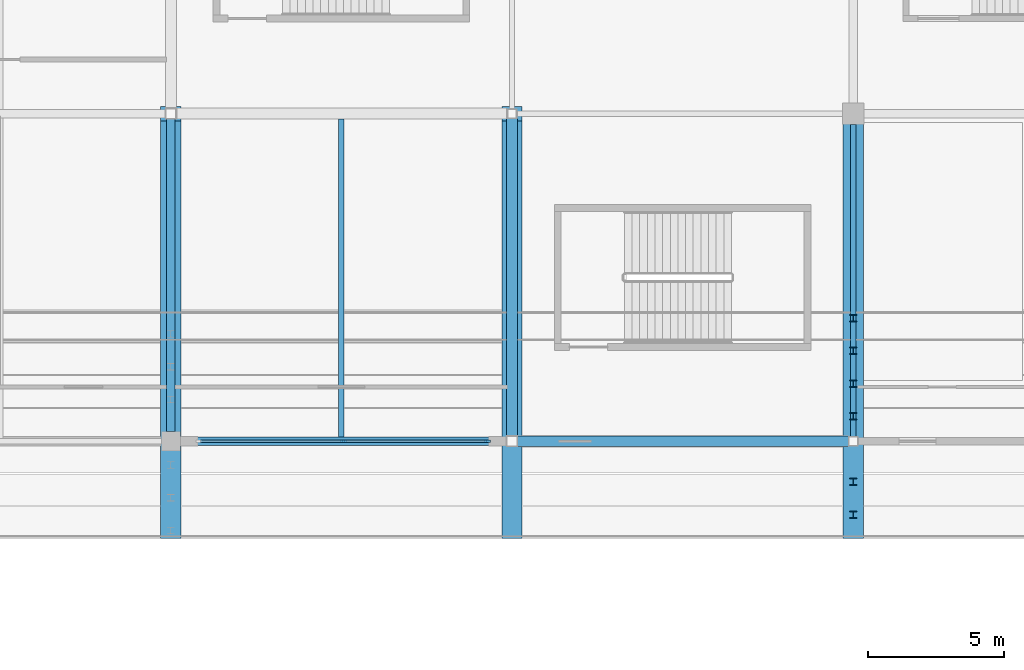
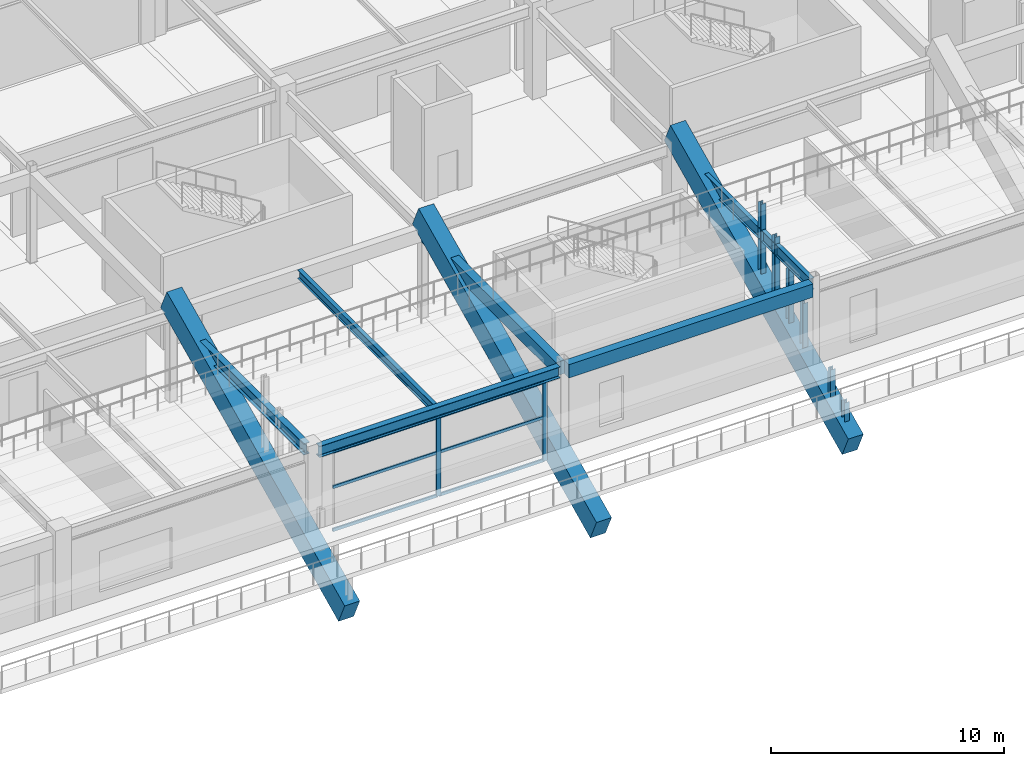
# One storey, part 43 of 128: 14 members, 9 beams, 1 element without a shape of its own.
"""IFC4 building model written with IfcOpenShell, lengths in metres."""

from ifc_helpers import new_model, si_unit, direction, frame, origin, origin_2d, place, context, subcontext, project, spatial, rectangle, i_section, extrude, material, layer, layer_set, material_profile, profile_set, type_object, element, aggregate, save


model = new_model("IFC4")

# Units and contexts
model_context = context("Model", 3, precision=1e-05, world=origin(), true_north=direction((0.0, 1.0)))
body_context = subcontext(model_context, "Body", "Model", "MODEL_VIEW")
ifc_project = project(units=[si_unit("LENGTHUNIT", "METRE"), si_unit("AREAUNIT", "SQUARE_METRE"), si_unit("VOLUMEUNIT", "CUBIC_METRE"), si_unit("PLANEANGLEUNIT", "RADIAN"), si_unit("MASSUNIT", "GRAM", prefix="KILO")], contexts=[model_context])

# Site, building, storey
site_placement = place(None, origin())
site = spatial("IfcSite", under=ifc_project, at=site_placement, CompositionType="ELEMENT")
building_placement = place(site_placement, origin())
building = spatial("IfcBuilding", under=site, at=building_placement, Name="Kazenohara Klinker Stadium", CompositionType="ELEMENT")
storey_placement = place(building_placement, frame((0.0, 0.0, 15.300048828125)))
storey = spatial("IfcBuildingStorey", under=building, at=storey_placement, Name="L03", CompositionType="ELEMENT", Elevation=15.300048828125)

# Beams
ifc_material_1 = material(Name="Steel S355", Category="steel")
ifc_material_profile_1 = material_profile(ifc_material_1, i_section(OverallWidth=0.199951171875, OverallDepth=0.449951171875, WebThickness=0.009033203125, FlangeThickness=0.013916015625, FilletRadius=0.012939453125, at=origin_2d()), Name="H-450x200x9x14")
ifc_profile_set_1 = profile_set([ifc_material_profile_1], Name="Steel S355")
beam_type_1 = type_object("IfcBeamType", Name="BM-JST02", PredefinedType="JOIST", material=ifc_profile_set_1)
beam_1_placement = place(storey_placement, frame((80.25, 132.14990234375, 4.534912109375), z_axis=(0.0, 1.0, 0.0), x_axis=(-1.0, 0.0, 0.0)))
element("IfcBeam", 1, at=beam_1_placement, inside=storey, type_object=beam_type_1, Name="Secondary floor joist SJ02 L03 7/M", PredefinedType="JOIST", context=body_context, shape_type="SweptSolid", body=[
    extrude(i_section(OverallWidth=0.199951171875, OverallDepth=0.449951171875, WebThickness=0.009033203125, FlangeThickness=0.013916015625, FilletRadius=0.012939453125, at=origin_2d()), origin(), (0.0, 0.0, 1.0), 11.650146484375),
])
ifc_material_2 = material(Name="Concrete C40/50", Category="concrete")
ifc_material_profile_2 = material_profile(ifc_material_2, rectangle(XDim=0.39990234375, YDim=0.699951171875, at=origin_2d()), Name="RC-BM-400x700")
ifc_profile_set_2 = profile_set([ifc_material_profile_2], Name="Concrete C40/50")
beam_type_2 = type_object("IfcBeamType", Name="BM-RC04", PredefinedType="BEAM", material=ifc_profile_set_2)
beam_2_placement = place(storey_placement, frame((86.699951171875, 132.0, 4.409912109375), z_axis=(1.0, 0.0, 0.0), x_axis=(0.0, 1.0, 0.0)))
element("IfcBeam", 2, at=beam_2_placement, inside=storey, type_object=beam_type_2, Name="Primary girder BG04 L03 8-9/M", PredefinedType="BEAM", context=body_context, shape_type="SweptSolid", body=[
    extrude(rectangle(XDim=0.39990234375, YDim=0.699951171875, at=origin_2d()), origin(), (0.0, 0.0, 1.0), 12.125),
])
beam_3_placement = place(storey_placement, frame((86.5, 132.199951171875, 4.409912109375), z_axis=(0.0, 1.0, 0.0), x_axis=(-1.0, 0.0, 0.0)))
element("IfcBeam", 3, at=beam_3_placement, inside=storey, type_object=beam_type_2, Name="Primary girder BG04 L03 8/M-N", PredefinedType="BEAM", context=body_context, shape_type="SweptSolid", body=[
    extrude(rectangle(XDim=0.39990234375, YDim=0.699951171875, at=origin_2d()), origin(), (0.0, 0.0, 1.0), 11.625),
])
ifc_material_profile_3 = material_profile(ifc_material_1, i_section(OverallWidth=0.199951171875, OverallDepth=0.60009765625, WebThickness=0.010986328125, FlangeThickness=0.01708984375, FilletRadius=0.012939453125, at=origin_2d()), Name="H-600x200x11x17")
ifc_profile_set_3 = profile_set([ifc_material_profile_3], Name="Steel S355")
beam_type_3 = type_object("IfcBeamType", Name="BM-ST04", PredefinedType="BEAM", material=ifc_profile_set_3)
beam_4_placement = place(storey_placement, frame((99.0, 132.175048828125, 4.4599609375), z_axis=(0.0, 1.0, 0.0), x_axis=(-1.0, 0.0, 0.0)))
element("IfcBeam", 4, at=beam_4_placement, inside=storey, type_object=beam_type_3, Name="Primary girder SB04 L03 9/M-N", PredefinedType="BEAM", context=body_context, shape_type="SweptSolid", body=[
    extrude(i_section(OverallWidth=0.199951171875, OverallDepth=0.60009765625, WebThickness=0.010986328125, FlangeThickness=0.01708984375, FilletRadius=0.012939453125, at=origin_2d()), origin(), (0.0, 0.0, 1.0), 11.425048828125),
])
ifc_material_profile_4 = material_profile(ifc_material_1, i_section(OverallWidth=0.300048828125, OverallDepth=0.587890625, WebThickness=0.011962890625, FlangeThickness=0.02001953125, FilletRadius=0.02197265625, at=origin_2d()), Name="H-588x300x12x20")
ifc_profile_set_4 = profile_set([ifc_material_profile_4], Name="Steel S355")
beam_type_4 = type_object("IfcBeamType", Name="BM-ST05", PredefinedType="BEAM", material=ifc_profile_set_4)
beam_5_placement = place(storey_placement, frame((74.35009765625, 132.0, 4.466064453125), z_axis=(1.0, 0.0, 0.0), x_axis=(0.0, 1.0, 0.0)))
element("IfcBeam", 5, at=beam_5_placement, inside=storey, type_object=beam_type_4, Name="Primary girder SB05 L03 7-8/M", PredefinedType="BEAM", context=body_context, shape_type="SweptSolid", body=[
    extrude(i_section(OverallWidth=0.300048828125, OverallDepth=0.587890625, WebThickness=0.011962890625, FlangeThickness=0.02001953125, FilletRadius=0.02197265625, at=origin_2d()), origin(), (0.0, 0.0, 1.0), 11.949951171875),
])
beam_6_placement = place(storey_placement, frame((74.0, 132.35009765625, 4.466064453125), z_axis=(0.0, 1.0, 0.0), x_axis=(-1.0, 0.0, 0.0)))
element("IfcBeam", 6, at=beam_6_placement, inside=storey, type_object=beam_type_4, Name="Primary girder SB05 L03 7/M-N", PredefinedType="BEAM", context=body_context, shape_type="SweptSolid", body=[
    extrude(i_section(OverallWidth=0.300048828125, OverallDepth=0.587890625, WebThickness=0.011962890625, FlangeThickness=0.02001953125, FilletRadius=0.02197265625, at=origin_2d()), origin(), (0.0, 0.0, 1.0), 11.449951171875),
])

# Curtain wall, members
ifc_material_3 = material(Name="Anodised aluminium and triple glazing", Category="aluminium")
ifc_layer = layer(ifc_material_3, 0.169921875)
ifc_layer_set = layer_set([ifc_layer], Name="Anodised aluminium and triple glazing")
curtain_wall_type = type_object("IfcCurtainWallType", Name="CW-SYS-04", PredefinedType="USERDEFINED", material=ifc_layer_set)
curtain_wall_placement = place(storey_placement, origin())
curtain_wall = element("IfcCurtainWall", 7, at=curtain_wall_placement, inside=storey, type_object=curtain_wall_type, Name="Unitised facade curtain wall CW04 L03 X6-11", ObjectType="UNITISED CURTAIN WALL", PredefinedType="USERDEFINED")
ifc_material_4 = material(Name="Anodised aluminium 6063-T6", Category="aluminium")
ifc_material_profile_5 = material_profile(ifc_material_4, rectangle(XDim=0.074951171875, YDim=0.219970703125, at=origin_2d()), Name="ALU-MUL-75x220")
ifc_profile_set_5 = profile_set([ifc_material_profile_5], Name="Anodised aluminium 6063-T6")
member_type_1 = type_object("IfcMemberType", Name="CW-MUL-220", PredefinedType="MULLION", material=ifc_profile_set_5)
member_1_placement = place(storey_placement, frame((80.324951171875, 132.0, 0.0), z_axis=(0.0, 0.0, 1.0), x_axis=(0.0, 1.0, 0.0)))
member_1 = element("IfcMember", 8, at=member_1_placement, type_object=member_type_1, Name="CW04 mullion 2", PredefinedType="MULLION", context=body_context, shape_type="SweptSolid", body=[
    extrude(rectangle(XDim=0.074951171875, YDim=0.219970703125, at=origin_2d()), origin(), (0.0, 0.0, 1.0), 4.171875),
])
member_2_placement = place(storey_placement, frame((85.6083984375, 132.0, 0.0), z_axis=(0.0, 0.0, 1.0), x_axis=(0.0, 1.0, 0.0)))
member_2 = element("IfcMember", 9, at=member_2_placement, type_object=member_type_1, Name="CW04 mullion 3", PredefinedType="MULLION", context=body_context, shape_type="SweptSolid", body=[
    extrude(rectangle(XDim=0.074951171875, YDim=0.219970703125, at=origin_2d()), origin(), (0.0, 0.0, 1.0), 4.171875),
])
ifc_material_profile_6 = material_profile(ifc_material_4, rectangle(XDim=0.074951171875, YDim=0.159912109375, at=origin_2d()), Name="ALU-TRN-75x160")
ifc_profile_set_6 = profile_set([ifc_material_profile_6], Name="Anodised aluminium 6063-T6")
member_type_2 = type_object("IfcMemberType", Name="CW-TRN-160", PredefinedType="USERDEFINED", material=ifc_profile_set_6)
member_3_placement = place(storey_placement, frame((75.0791015625, 132.0, 0.037353515625), z_axis=(1.0, 0.0, 0.0), x_axis=(0.0, 1.0, 0.0)))
member_3 = element("IfcMember", 10, at=member_3_placement, type_object=member_type_2, Name="CW04 transom 1.1", ObjectType="TRANSOM", PredefinedType="USERDEFINED", context=body_context, shape_type="SweptSolid", body=[
    extrude(rectangle(XDim=0.074951171875, YDim=0.159912109375, at=origin_2d()), origin(), (0.0, 0.0, 1.0), 5.20849609375),
])
member_4_placement = place(storey_placement, frame((75.0791015625, 132.0, 2.29443359375), z_axis=(1.0, 0.0, 0.0), x_axis=(0.0, 1.0, 0.0)))
member_4 = element("IfcMember", 11, at=member_4_placement, type_object=member_type_2, Name="CW04 transom 1.2", ObjectType="TRANSOM", PredefinedType="USERDEFINED", context=body_context, shape_type="SweptSolid", body=[
    extrude(rectangle(XDim=0.074951171875, YDim=0.159912109375, at=origin_2d()), origin(), (0.0, 0.0, 1.0), 5.20849609375),
])
member_5_placement = place(storey_placement, frame((75.0791015625, 132.0, 4.134521484375), z_axis=(1.0, 0.0, 0.0), x_axis=(0.0, 1.0, 0.0)))
member_5 = element("IfcMember", 12, at=member_5_placement, type_object=member_type_2, Name="CW04 transom 1.3", ObjectType="TRANSOM", PredefinedType="USERDEFINED", context=body_context, shape_type="SweptSolid", body=[
    extrude(rectangle(XDim=0.074951171875, YDim=0.159912109375, at=origin_2d()), origin(), (0.0, 0.0, 1.0), 5.20849609375),
])
member_6_placement = place(storey_placement, frame((80.362548828125, 132.0, 0.037353515625), z_axis=(1.0, 0.0, 0.0), x_axis=(0.0, 1.0, 0.0)))
member_6 = element("IfcMember", 13, at=member_6_placement, type_object=member_type_2, Name="CW04 transom 2.1", ObjectType="TRANSOM", PredefinedType="USERDEFINED", context=body_context, shape_type="SweptSolid", body=[
    extrude(rectangle(XDim=0.074951171875, YDim=0.159912109375, at=origin_2d()), origin(), (0.0, 0.0, 1.0), 5.20849609375),
])
member_7_placement = place(storey_placement, frame((80.362548828125, 132.0, 2.29443359375), z_axis=(1.0, 0.0, 0.0), x_axis=(0.0, 1.0, 0.0)))
member_7 = element("IfcMember", 14, at=member_7_placement, type_object=member_type_2, Name="CW04 transom 2.2", ObjectType="TRANSOM", PredefinedType="USERDEFINED", context=body_context, shape_type="SweptSolid", body=[
    extrude(rectangle(XDim=0.074951171875, YDim=0.159912109375, at=origin_2d()), origin(), (0.0, 0.0, 1.0), 5.20849609375),
])
member_8_placement = place(storey_placement, frame((80.362548828125, 132.0, 4.134521484375), z_axis=(1.0, 0.0, 0.0), x_axis=(0.0, 1.0, 0.0)))
member_8 = element("IfcMember", 15, at=member_8_placement, type_object=member_type_2, Name="CW04 transom 2.3", ObjectType="TRANSOM", PredefinedType="USERDEFINED", context=body_context, shape_type="SweptSolid", body=[
    extrude(rectangle(XDim=0.074951171875, YDim=0.159912109375, at=origin_2d()), origin(), (0.0, 0.0, 1.0), 5.20849609375),
])
aggregate(curtain_wall, [member_1, member_2, member_3, member_4, member_5, member_6, member_7, member_8])

# Members
ifc_material_profile_7 = material_profile(ifc_material_1, i_section(OverallWidth=0.25, OverallDepth=0.25, WebThickness=0.009033203125, FlangeThickness=0.013916015625, FilletRadius=0.012939453125, at=origin_2d()), Name="H-250x250x9x14")
ifc_profile_set_7 = profile_set([ifc_material_profile_7], Name="Steel S355")
member_type_3 = type_object("IfcMemberType", Name="MEM-STR02", PredefinedType="STRUT", material=ifc_profile_set_7)
member_9_placement = place(storey_placement, frame((99.0, 136.510009765625, 2.04541015625), z_axis=(0.0, 0.0, 1.0), x_axis=(1.0, 0.0, 0.0)))
element("IfcMember", 16, at=member_9_placement, inside=storey, type_object=member_type_3, Name="Precast tier riser stool UPPER-N-01-08", PredefinedType="STRUT", context=body_context, shape_type="SweptSolid", body=[
    extrude(i_section(OverallWidth=0.25, OverallDepth=0.25, WebThickness=0.009033203125, FlangeThickness=0.013916015625, FilletRadius=0.012939453125, at=origin_2d()), origin(), (0.0, 0.0, 1.0), 4.074462890625),
])
member_10_placement = place(storey_placement, frame((99.0, 135.31005859375, 1.49853515625), z_axis=(0.0, 0.0, 1.0), x_axis=(1.0, 0.0, 0.0)))
element("IfcMember", 17, at=member_10_placement, inside=storey, type_object=member_type_3, Name="Precast tier riser stool UPPER-N-02-08", PredefinedType="STRUT", context=body_context, shape_type="SweptSolid", body=[
    extrude(i_section(OverallWidth=0.25, OverallDepth=0.25, WebThickness=0.009033203125, FlangeThickness=0.013916015625, FilletRadius=0.012939453125, at=origin_2d()), origin(), (0.0, 0.0, 1.0), 3.613037109375),
])
member_11_placement = place(storey_placement, frame((99.0, 134.110107421875, 0.95166015625), z_axis=(0.0, 0.0, 1.0), x_axis=(1.0, 0.0, 0.0)))
element("IfcMember", 18, at=member_11_placement, inside=storey, type_object=member_type_3, Name="Precast tier riser stool UPPER-N-03-08", PredefinedType="STRUT", context=body_context, shape_type="SweptSolid", body=[
    extrude(i_section(OverallWidth=0.25, OverallDepth=0.25, WebThickness=0.009033203125, FlangeThickness=0.013916015625, FilletRadius=0.012939453125, at=origin_2d()), origin(), (0.0, 0.0, 1.0), 3.151611328125),
])
member_12_placement = place(storey_placement, frame((99.0, 132.909912109375, 0.40478515625), z_axis=(0.0, 0.0, 1.0), x_axis=(1.0, 0.0, 0.0)))
element("IfcMember", 19, at=member_12_placement, inside=storey, type_object=member_type_3, Name="Precast tier riser stool UPPER-N-04-08", PredefinedType="STRUT", context=body_context, shape_type="SweptSolid", body=[
    extrude(i_section(OverallWidth=0.25, OverallDepth=0.25, WebThickness=0.009033203125, FlangeThickness=0.013916015625, FilletRadius=0.012939453125, at=origin_2d()), origin(), (0.0, 0.0, 1.0), 2.690185546875),
])
member_13_placement = place(storey_placement, frame((99.0, 130.510009765625, -0.68896484375), z_axis=(0.0, 0.0, 1.0), x_axis=(1.0, 0.0, 0.0)))
element("IfcMember", 20, at=member_13_placement, inside=storey, type_object=member_type_3, Name="Precast tier riser stool UPPER-N-06-08", PredefinedType="STRUT", context=body_context, shape_type="SweptSolid", body=[
    extrude(i_section(OverallWidth=0.25, OverallDepth=0.25, WebThickness=0.009033203125, FlangeThickness=0.013916015625, FilletRadius=0.012939453125, at=origin_2d()), origin(), (0.0, 0.0, 1.0), 1.767333984375),
])
member_14_placement = place(storey_placement, frame((99.0, 129.31005859375, -1.235595703125), z_axis=(0.0, 0.0, 1.0), x_axis=(1.0, 0.0, 0.0)))
element("IfcMember", 21, at=member_14_placement, inside=storey, type_object=member_type_3, Name="Precast tier riser stool UPPER-N-07-08", PredefinedType="STRUT", context=body_context, shape_type="SweptSolid", body=[
    extrude(i_section(OverallWidth=0.25, OverallDepth=0.25, WebThickness=0.009033203125, FlangeThickness=0.013916015625, FilletRadius=0.012939453125, at=origin_2d()), origin(), (0.0, 0.0, 1.0), 1.3056640625),
])

# Beams
ifc_material_5 = material(Name="Precast concrete C50/60", Category="concrete")
ifc_material_profile_8 = material_profile(ifc_material_5, rectangle(XDim=0.75, YDim=1.25, at=origin_2d()), Name="PC-RAKER-750x1250")
ifc_profile_set_8 = profile_set([ifc_material_profile_8], Name="Precast concrete C50/60")
beam_type_5 = type_object("IfcBeamType", Name="RAKER-RK02", PredefinedType="USERDEFINED", material=ifc_profile_set_8)
for number, where, z_axis, x_axis, name in (
    (22, (74.0, 144.0, 5.351318359375), (0.0, -0.904820338238, -0.425793559734), (1.0, 0.0, 0.0), "Precast bowl raker girder RK02 UPPER North 7"),
    (23, (86.5, 144.0, 5.351318359375), (0.0, -0.904820338238, -0.425793559734), (1.0, 0.0, 0.0), "Precast bowl raker girder RK02 UPPER North 8"),
    (24, (99.0, 144.0, 5.351318359375), (0.0, -0.904820338238, -0.425793559734), (1.0, 0.0, 0.0), "Precast bowl raker girder RK02 UPPER North 9"),
):
    element("IfcBeam", number, at=place(storey_placement, frame(where, z_axis=z_axis, x_axis=x_axis)), inside=storey, type_object=beam_type_5, Name=name, ObjectType="RAKER", PredefinedType="USERDEFINED", context=body_context, shape_type="SweptSolid", body=[
        extrude(rectangle(XDim=0.75, YDim=1.25, at=origin_2d()), origin(), (0.0, 0.0, 1.0), 16.909423828125),
    ])

save(model, "model.ifc")
